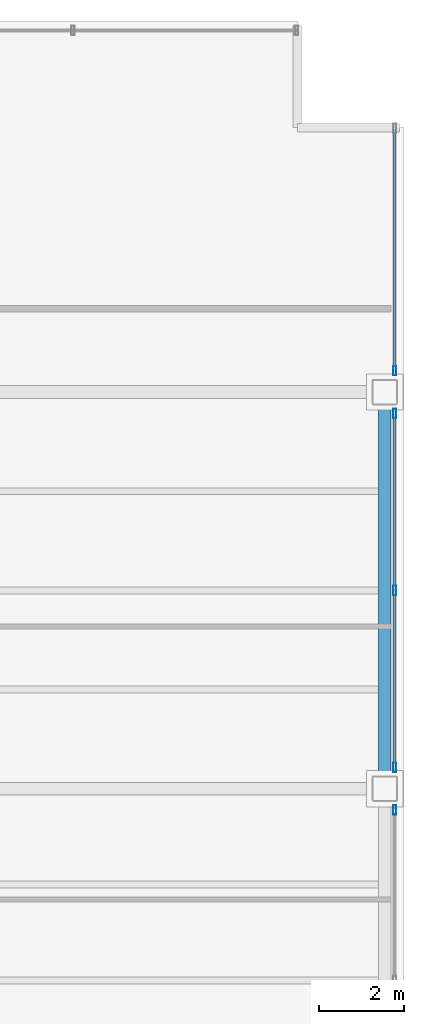
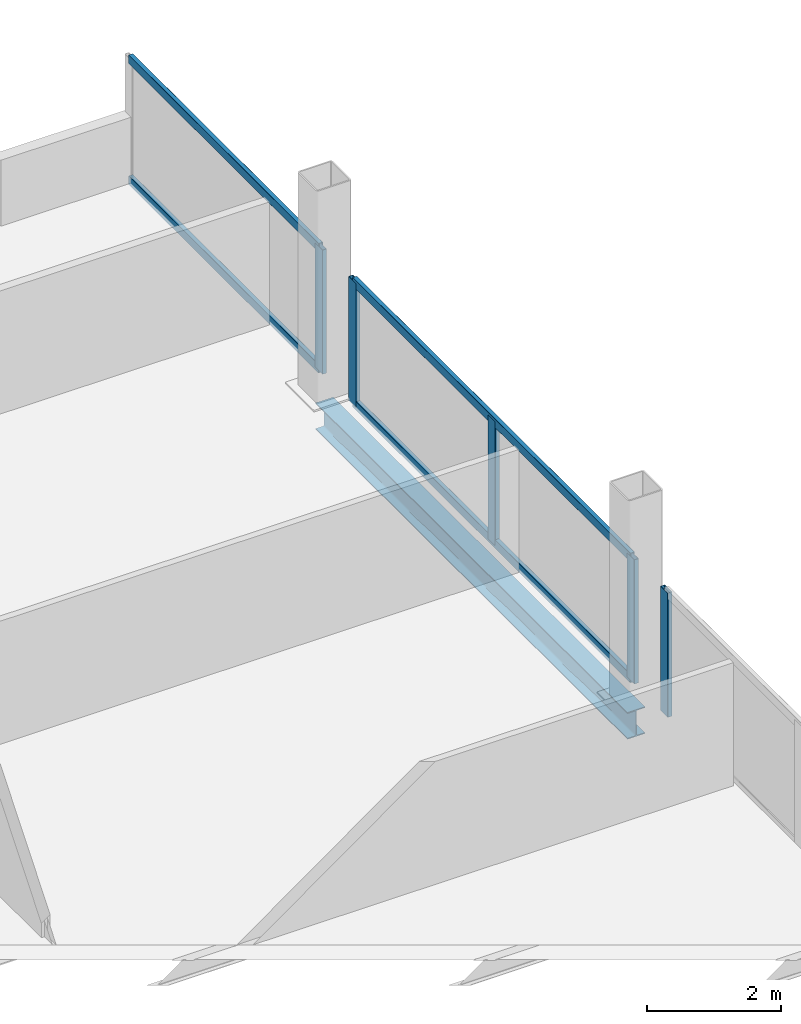
# One storey, part 12 of 21: 9 members, 1 beam, 3 elements without a shape of their own.
"""IFC4 building model written with IfcOpenShell, lengths in metres."""

import ifcopenshell
import ifcopenshell.guid

model = None  # the IFC model being written
_history = None  # IfcOwnerHistory: only IFC2X3 demands one
_inside = {}  # id of a spatial element -> (the spatial element, [elements in it])
_under = {}  # id of a project, library or spatial element -> (it, [spatial elements below it])
_declared = {}  # id of a project -> (the project, [libraries it declares])
_typed = {}  # id of a type object -> (the type object, [elements of that type])
_made_of = {}  # id of a material, layer set ... -> (it, [elements and type objects made of it])


def new_model(schema):
    """Start an empty IFC model of exactly this schema.

    Asked for "IFC4X3", IfcOpenShell would pick the latest addendum, in which some entities
    have other attributes; the version numbers below select the first issue.
    IFC2X3 requires an IfcOwnerHistory on every rooted entity: one is made here for all.
    """
    global model, _history
    if schema == "IFC4X3":
        model = ifcopenshell.file(schema_version=(4, 3, 0, 0))
    else:
        model = ifcopenshell.file(schema=schema)
    _inside.clear()
    _under.clear()
    _declared.clear()
    _typed.clear()
    _made_of.clear()
    _history = None
    if model.schema == "IFC2X3":
        org = make("IfcOrganization", Name="unknown")
        user = make(
            "IfcPersonAndOrganization",
            ThePerson=make("IfcPerson", FamilyName="unknown"),
            TheOrganization=org,
        )
        app = make(
            "IfcApplication",
            ApplicationDeveloper=org,
            Version="unknown",
            ApplicationFullName="unknown",
            ApplicationIdentifier="unknown",
        )
        _history = make(
            "IfcOwnerHistory",
            OwningUser=user,
            OwningApplication=app,
            ChangeAction="ADDED",
            CreationDate=0,
        )
    return model


def make(cls, **values):
    """One entity of the class cls with the attributes given. An attribute that is None is left unset."""
    return model.create_entity(
        cls, **{name: value for name, value in values.items() if value is not None}
    )


def rooted(cls, **values):
    """An entity with a GlobalId (a new one), such as an element, a storey or a relation."""
    return make(cls, GlobalId=ifcopenshell.guid.new(), OwnerHistory=_history, **values)


def si_unit(unit_type, name, prefix=None):
    """IfcSIUnit, for example si_unit("LENGTHUNIT", "METRE", prefix="MILLI")."""
    return make("IfcSIUnit", UnitType=unit_type, Prefix=prefix, Name=name)


def assignment(units):
    """IfcUnitAssignment: the units of a project."""
    return None if units is None else make("IfcUnitAssignment", Units=units)


def point(xyz):
    """IfcCartesianPoint."""
    return None if xyz is None else make("IfcCartesianPoint", Coordinates=xyz)


def direction(xyz):
    """IfcDirection."""
    return None if xyz is None else make("IfcDirection", DirectionRatios=xyz)


def frame(location, z_axis=None, x_axis=None):
    """IfcAxis2Placement3D, a coordinate frame: its origin and axes. An axis left out is left unset."""
    return make(
        "IfcAxis2Placement3D",
        Location=point(location),
        Axis=direction(z_axis),
        RefDirection=direction(x_axis),
    )


def frame_2d(location, x_axis=None):
    """IfcAxis2Placement2D, a coordinate frame in the plane: its origin and x axis."""
    return make(
        "IfcAxis2Placement2D", Location=point(location), RefDirection=direction(x_axis)
    )


def origin():
    """The frame at (0, 0, 0) with its axes left unset."""
    return frame((0.0, 0.0, 0.0))


def origin_2d():
    """The frame at (0, 0) in the plane with its x axis left unset."""
    return frame_2d((0.0, 0.0))


def place(relative_to, where):
    """IfcLocalPlacement: puts the frame where relative to a parent placement (None: the world)."""
    return make(
        "IfcLocalPlacement", PlacementRelTo=relative_to, RelativePlacement=where
    )


def context(
    kind, dimensions, precision=None, world=None, true_north=None, identifier=None
):
    """IfcGeometricRepresentationContext, for example the 3D "Model" context."""
    return make(
        "IfcGeometricRepresentationContext",
        ContextIdentifier=identifier,
        ContextType=kind,
        CoordinateSpaceDimension=dimensions,
        Precision=precision,
        WorldCoordinateSystem=world,
        TrueNorth=true_north,
    )


def subcontext(parent, identifier, kind, view, scale=None):
    """IfcGeometricRepresentationSubContext, for example "Body" below "Model"."""
    return make(
        "IfcGeometricRepresentationSubContext",
        ContextIdentifier=identifier,
        ContextType=kind,
        ParentContext=parent,
        TargetScale=scale,
        TargetView=view,
    )


def project(units=None, contexts=None):
    """IfcProject with its units and contexts."""
    return rooted(
        "IfcProject",
        Name="project",
        RepresentationContexts=contexts,
        UnitsInContext=assignment(units),
    )


def spatial(cls, under=None, at=None, **own):
    """A site, building, storey or space (cls), placed at a placement, below another one or the project."""
    s = rooted(cls, ObjectPlacement=at, **own)
    if under is not None:
        _under.setdefault(under.id(), (under, []))[1].append(s)
    return s


def profile(cls, at=None, kind="AREA", **sizes):
    """A parametric profile (cls). Its sizes go by their IFC names, for example OverallWidth=200.0."""
    return make(cls, ProfileType=kind, Position=at, **sizes)


def hollow_rectangle(**sizes):
    """IfcRectangleHollowProfileDef."""
    return profile("IfcRectangleHollowProfileDef", **sizes)


def i_section(**sizes):
    """IfcIShapeProfileDef."""
    return profile("IfcIShapeProfileDef", **sizes)


def extrude(swept, where, along, depth):
    """IfcExtrudedAreaSolid: the profile swept, set in the frame where, extruded along a direction by depth."""
    return make(
        "IfcExtrudedAreaSolid",
        SweptArea=swept,
        Position=where,
        ExtrudedDirection=direction(along),
        Depth=depth,
    )


def shape(context_of_items, identifier, shape_type, items):
    """IfcShapeRepresentation: the items that make up one representation, for example the "Body"."""
    return make(
        "IfcShapeRepresentation",
        ContextOfItems=context_of_items,
        RepresentationIdentifier=identifier,
        RepresentationType=shape_type,
        Items=items,
    )


def material(Name=None, Category=None):
    """IfcMaterial."""
    return make("IfcMaterial", Name=Name, Category=Category)


def material_profile(
    of_material, cross_section, Name=None, Category=None, Priority=None
):
    """IfcMaterialProfile: a cross section and its material."""
    return make(
        "IfcMaterialProfile",
        Name=Name,
        Material=of_material,
        Profile=cross_section,
        Priority=Priority,
        Category=Category,
    )


def profile_set(profiles, Name=None, composite=None):
    """IfcMaterialProfileSet."""
    return make(
        "IfcMaterialProfileSet",
        Name=Name,
        MaterialProfiles=profiles,
        CompositeProfile=composite,
    )


def made_of(thing, what):
    """Note that an element or type object is made of a material, layer set ...; save() writes the relation."""
    if what is not None:
        _made_of.setdefault(what.id(), (what, []))[1].append(thing)
    return thing


def type_object(cls, material=None, **own):
    """A type object (cls), such as IfcWallType, which elements share."""
    return made_of(rooted(cls, **own), material)


def element(
    cls,
    number,
    at=None,
    inside=None,
    cuts=None,
    type_object=None,
    material=None,
    context=None,
    identifier="Body",
    shape_type=None,
    held_by="IfcProductDefinitionShape",
    body=None,
    shapes=None,
    **own,
):
    """One element of the class cls, such as IfcWall. Its Tag is "e" and its number.

    at: its placement. inside: the storey or other place that contains it. cuts: it is an
    opening in that element (IfcRelVoidsElement). A single representation is given by context,
    identifier, shape_type and body (its items); several are given by shapes. held_by: the class
    of the entity that holds the representations. save() writes the other relations.
    """
    e = rooted(cls, Tag="e%d" % number, ObjectPlacement=at, **own)
    if body is not None:
        shapes = [shape(context, identifier, shape_type, body)]
    if shapes is not None:
        e.Representation = make(held_by, Representations=shapes)
    if inside is not None:
        _inside.setdefault(inside.id(), (inside, []))[1].append(e)
    if cuts is not None:
        rooted(
            "IfcRelVoidsElement", RelatingBuildingElement=cuts, RelatedOpeningElement=e
        )
    if type_object is not None:
        _typed.setdefault(type_object.id(), (type_object, []))[1].append(e)
    return made_of(e, material)


def aggregate(whole, parts):
    """IfcRelAggregates: a whole, such as a stair, and the parts it consists of."""
    return rooted("IfcRelAggregates", RelatingObject=whole, RelatedObjects=parts)


def save(model, path):
    """Write the relations noted so far, then the file.

    IfcRelAggregates (storeys below a building ...), IfcRelContainedInSpatialStructure (elements
    in a storey), IfcRelDefinesByType, IfcRelAssociatesMaterial and IfcRelDeclares: one each for
    every whole, place, type object, material and project.
    """
    for whole, parts in _under.values():
        aggregate(whole, parts)
    for where, things in _inside.values():
        rooted(
            "IfcRelContainedInSpatialStructure",
            RelatedElements=things,
            RelatingStructure=where,
        )
    for kind, things in _typed.values():
        rooted("IfcRelDefinesByType", RelatedObjects=things, RelatingType=kind)
    for what, things in _made_of.values():
        rooted("IfcRelAssociatesMaterial", RelatedObjects=things, RelatingMaterial=what)
    for by, libraries in _declared.values():
        rooted("IfcRelDeclares", RelatingContext=by, RelatedDefinitions=libraries)
    model.write(path)


model = new_model("IFC4")

# Units and contexts
model_context = context("Model", 3, precision=1e-05, world=origin(), true_north=direction((0.0, 1.0)))
body_context = subcontext(model_context, "Body", "Model", "MODEL_VIEW")
ifc_project = project(units=[si_unit("LENGTHUNIT", "METRE"), si_unit("AREAUNIT", "SQUARE_METRE"), si_unit("VOLUMEUNIT", "CUBIC_METRE"), si_unit("PLANEANGLEUNIT", "RADIAN"), si_unit("MASSUNIT", "GRAM", prefix="KILO")], contexts=[model_context])

# Site, building, storey
site_placement = place(None, origin())
site = spatial("IfcSite", under=ifc_project, at=site_placement, CompositionType="ELEMENT")
building_placement = place(site_placement, origin())
building = spatial("IfcBuilding", under=site, at=building_placement, Name="Noeulbin Bourse Tower", CompositionType="ELEMENT")
storey_placement = place(building_placement, frame((0.0, 0.0, 77.199951171875)))
storey = spatial("IfcBuildingStorey", under=building, at=storey_placement, Name="L19", CompositionType="ELEMENT", Elevation=77.199951171875)

# Beam
ifc_material_1 = material(Name="Steel S355", Category="steel")
ifc_material_profile_1 = material_profile(ifc_material_1, i_section(OverallWidth=0.300048828125, OverallDepth=0.488037109375, WebThickness=0.010986328125, FlangeThickness=0.01806640625, FilletRadius=0.02197265625, at=origin_2d()), Name="H-488x300x11x18", Category="LoadBearing")
ifc_profile_set_1 = profile_set([ifc_material_profile_1], Name="Steel S355")
beam_type = type_object("IfcBeamType", Name="BM-SPN-488", PredefinedType="SPANDREL", material=ifc_profile_set_1)
beam_placement = place(storey_placement, frame((57.050048828125, 29.0, -0.424072265625), z_axis=(0.0, 1.0, 0.0), x_axis=(-1.0, 0.0, 0.0)))
element("IfcBeam", 1, at=beam_placement, inside=storey, type_object=beam_type, Name="East Spandrel L19-2", PredefinedType="SPANDREL", context=body_context, shape_type="SweptSolid", body=[
    extrude(i_section(OverallWidth=0.300048828125, OverallDepth=0.488037109375, WebThickness=0.010986328125, FlangeThickness=0.01806640625, FilletRadius=0.02197265625, at=origin_2d()), origin(), (0.0, 0.0, 1.0), 9.300048828125),
])

# Curtain wall, member
ifc_material_2 = material(Name="Dark Solar-Control Double Glazing", Category="glass")
curtain_wall_type = type_object("IfcCurtainWallType", Name="CW-SYS-2", PredefinedType="NOTDEFINED", material=ifc_material_2)
curtain_wall_1_placement = place(storey_placement, origin())
curtain_wall_1 = element("IfcCurtainWall", 2, at=curtain_wall_1_placement, inside=storey, type_object=curtain_wall_type, Name="Unitised Curtain Wall CW-L19-E-S2", PredefinedType="NOTDEFINED")
ifc_material_3 = material(Name="Anodised Aluminium 6063-T6", Category="aluminium")
ifc_material_profile_2 = material_profile(ifc_material_3, hollow_rectangle(XDim=0.074951171875, YDim=0.219970703125, WallThickness=0.0048828125, InnerFilletRadius=0.00244140625, OuterFilletRadius=0.0048828125, at=origin_2d()), Name="ALU-MULL-75x220x5", Category="LoadBearing")
ifc_profile_set_2 = profile_set([ifc_material_profile_2], Name="Anodised Aluminium 6063-T6")
member_type_1 = type_object("IfcMemberType", Name="CW-SYS-2-MUL", PredefinedType="MULLION", material=ifc_profile_set_2)
member_1_placement = place(storey_placement, frame((57.280029296875, 28.5, -0.02001953125), z_axis=(0.0, 0.0, 1.0), x_axis=(1.0, 0.0, 0.0)))
member_1 = element("IfcMember", 3, at=member_1_placement, type_object=member_type_1, Name="Curtain Wall Mullion CW-L19-E-S2-M02", PredefinedType="MULLION", context=body_context, shape_type="SweptSolid", body=[
    extrude(hollow_rectangle(XDim=0.074951171875, YDim=0.219970703125, WallThickness=0.0048828125, InnerFilletRadius=0.00244140625, OuterFilletRadius=0.0048828125, at=origin_2d()), origin(), (0.0, 0.0, 1.0), 2.260009765625),
])
aggregate(curtain_wall_1, [member_1])

# Curtain wall, members
curtain_wall_2_placement = place(storey_placement, origin())
curtain_wall_2 = element("IfcCurtainWall", 4, at=curtain_wall_2_placement, inside=storey, type_object=curtain_wall_type, Name="Unitised Curtain Wall CW-L19-E-S3", PredefinedType="NOTDEFINED")
member_2_placement = place(storey_placement, frame((57.280029296875, 29.5, -0.02001953125), z_axis=(0.0, 0.0, 1.0), x_axis=(1.0, 0.0, 0.0)))
member_2 = element("IfcMember", 5, at=member_2_placement, type_object=member_type_1, Name="Curtain Wall Mullion CW-L19-E-S3-M00", PredefinedType="MULLION", context=body_context, shape_type="SweptSolid", body=[
    extrude(hollow_rectangle(XDim=0.074951171875, YDim=0.219970703125, WallThickness=0.0048828125, InnerFilletRadius=0.00244140625, OuterFilletRadius=0.0048828125, at=origin_2d()), origin(), (0.0, 0.0, 1.0), 2.260009765625),
])
member_3_placement = place(storey_placement, frame((57.280029296875, 33.64990234375, -0.02001953125), z_axis=(0.0, 0.0, 1.0), x_axis=(1.0, 0.0, 0.0)))
member_3 = element("IfcMember", 6, at=member_3_placement, type_object=member_type_1, Name="Curtain Wall Mullion CW-L19-E-S3-M01", PredefinedType="MULLION", context=body_context, shape_type="SweptSolid", body=[
    extrude(hollow_rectangle(XDim=0.074951171875, YDim=0.219970703125, WallThickness=0.0048828125, InnerFilletRadius=0.00244140625, OuterFilletRadius=0.0048828125, at=origin_2d()), origin(), (0.0, 0.0, 1.0), 2.260009765625),
])
member_4_placement = place(storey_placement, frame((57.280029296875, 37.800048828125, -0.02001953125), z_axis=(0.0, 0.0, 1.0), x_axis=(1.0, 0.0, 0.0)))
member_4 = element("IfcMember", 7, at=member_4_placement, type_object=member_type_1, Name="Curtain Wall Mullion CW-L19-E-S3-M02", PredefinedType="MULLION", context=body_context, shape_type="SweptSolid", body=[
    extrude(hollow_rectangle(XDim=0.074951171875, YDim=0.219970703125, WallThickness=0.0048828125, InnerFilletRadius=0.00244140625, OuterFilletRadius=0.0048828125, at=origin_2d()), origin(), (0.0, 0.0, 1.0), 2.260009765625),
])

# Curtain wall, member
curtain_wall_3_placement = place(storey_placement, origin())
curtain_wall_3 = element("IfcCurtainWall", 8, at=curtain_wall_3_placement, inside=storey, type_object=curtain_wall_type, Name="Unitised Curtain Wall CW-L19-E-S4", PredefinedType="NOTDEFINED")
member_5_placement = place(storey_placement, frame((57.280029296875, 38.800048828125, -0.02001953125), z_axis=(0.0, 0.0, 1.0), x_axis=(1.0, 0.0, 0.0)))
member_5 = element("IfcMember", 9, at=member_5_placement, type_object=member_type_1, Name="Curtain Wall Mullion CW-L19-E-S4-M00", PredefinedType="MULLION", context=body_context, shape_type="SweptSolid", body=[
    extrude(hollow_rectangle(XDim=0.074951171875, YDim=0.219970703125, WallThickness=0.0048828125, InnerFilletRadius=0.00244140625, OuterFilletRadius=0.0048828125, at=origin_2d()), origin(), (0.0, 0.0, 1.0), 2.260009765625),
])

# Member
ifc_material_profile_3 = material_profile(ifc_material_3, hollow_rectangle(XDim=0.074951171875, YDim=0.159912109375, WallThickness=0.0048828125, InnerFilletRadius=0.00244140625, OuterFilletRadius=0.0048828125, at=origin_2d()), Name="ALU-TRAN-75x160x5", Category="LoadBearing")
ifc_profile_set_3 = profile_set([ifc_material_profile_3], Name="Anodised Aluminium 6063-T6")
member_type_2 = type_object("IfcMemberType", Name="CW-SYS-2-TRN", PredefinedType="USERDEFINED", material=ifc_profile_set_3)
member_6_placement = place(storey_placement, frame((57.280029296875, 29.510009765625, 0.010009765625), z_axis=(0.0, 1.0, 0.0), x_axis=(-1.0, 0.0, 0.0)))
member_6 = element("IfcMember", 10, at=member_6_placement, type_object=member_type_2, Name="Curtain Wall Transom CW-L19-E-S3-T00", ObjectType="TRANSOM", PredefinedType="USERDEFINED", context=body_context, shape_type="SweptSolid", body=[
    extrude(hollow_rectangle(XDim=0.074951171875, YDim=0.159912109375, WallThickness=0.0048828125, InnerFilletRadius=0.00244140625, OuterFilletRadius=0.0048828125, at=origin_2d()), origin(), (0.0, 0.0, 1.0), 8.280029296875),
])

member_7_placement = place(storey_placement, frame((57.280029296875, 29.510009765625, 2.2099609375), z_axis=(0.0, 1.0, 0.0), x_axis=(-1.0, 0.0, 0.0)))
member_7 = element("IfcMember", 11, at=member_7_placement, type_object=member_type_2, Name="Curtain Wall Transom CW-L19-E-S3-T01", ObjectType="TRANSOM", PredefinedType="USERDEFINED", context=body_context, shape_type="SweptSolid", body=[
    extrude(hollow_rectangle(XDim=0.074951171875, YDim=0.159912109375, WallThickness=0.0048828125, InnerFilletRadius=0.00244140625, OuterFilletRadius=0.0048828125, at=origin_2d()), origin(), (0.0, 0.0, 1.0), 8.280029296875),
])

aggregate(curtain_wall_2, [member_2, member_3, member_4, member_6, member_7])

member_8_placement = place(storey_placement, frame((57.280029296875, 38.81005859375, 0.010009765625), z_axis=(0.0, 1.0, 0.0), x_axis=(-1.0, 0.0, 0.0)))
member_8 = element("IfcMember", 12, at=member_8_placement, type_object=member_type_2, Name="Curtain Wall Transom CW-L19-E-S4-T00", ObjectType="TRANSOM", PredefinedType="USERDEFINED", context=body_context, shape_type="SweptSolid", body=[
    extrude(hollow_rectangle(XDim=0.074951171875, YDim=0.159912109375, WallThickness=0.0048828125, InnerFilletRadius=0.00244140625, OuterFilletRadius=0.0048828125, at=origin_2d()), origin(), (0.0, 0.0, 1.0), 5.659912109375),
])

member_9_placement = place(storey_placement, frame((57.280029296875, 38.81005859375, 2.2099609375), z_axis=(0.0, 1.0, 0.0), x_axis=(-1.0, 0.0, 0.0)))
member_9 = element("IfcMember", 13, at=member_9_placement, type_object=member_type_2, Name="Curtain Wall Transom CW-L19-E-S4-T01", ObjectType="TRANSOM", PredefinedType="USERDEFINED", context=body_context, shape_type="SweptSolid", body=[
    extrude(hollow_rectangle(XDim=0.074951171875, YDim=0.159912109375, WallThickness=0.0048828125, InnerFilletRadius=0.00244140625, OuterFilletRadius=0.0048828125, at=origin_2d()), origin(), (0.0, 0.0, 1.0), 5.659912109375),
])

aggregate(curtain_wall_3, [member_5, member_8, member_9])

save(model, "model.ifc")
